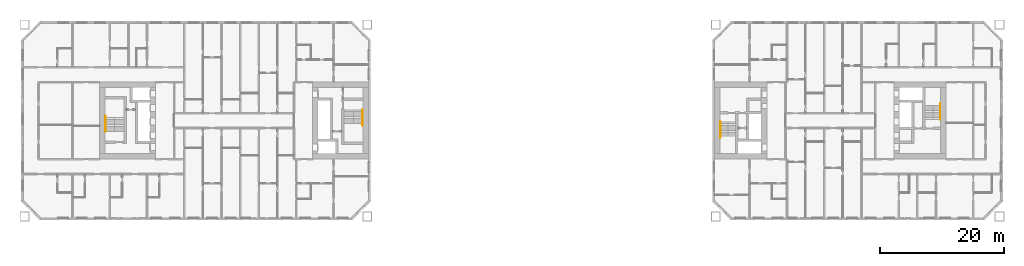
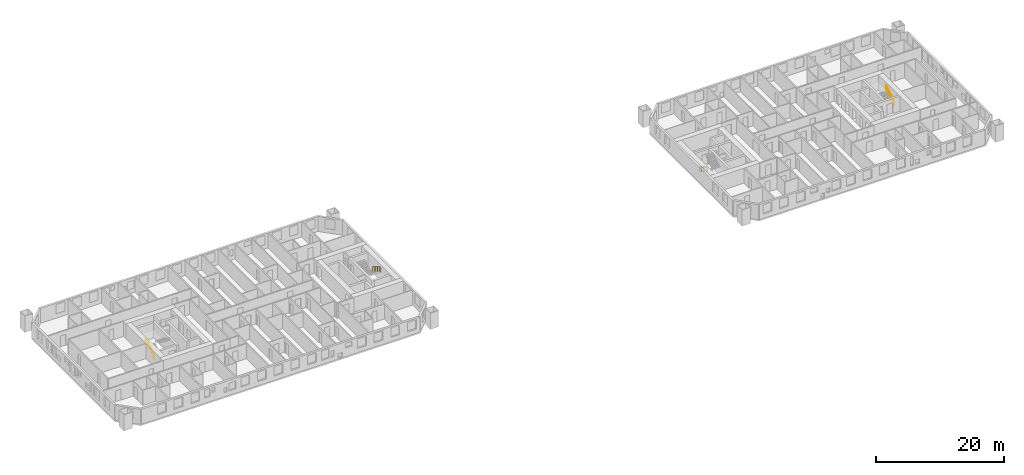
# One storey, part 17 of 17: 4 railings.
"""IFC4 building model written with IfcOpenShell, lengths in metres."""

from ifc_helpers import new_model, si_unit, direction, frame, origin, origin_2d, place, context, subcontext, project, spatial, circle, extrude, material, type_object, element, save


model = new_model("IFC4")

# Units and contexts
model_context = context("Model", 3, precision=1e-05, world=origin(), true_north=direction((0.0, 1.0)))
body_context = subcontext(model_context, "Body", "Model", "MODEL_VIEW")
ifc_project = project(units=[si_unit("LENGTHUNIT", "METRE"), si_unit("AREAUNIT", "SQUARE_METRE"), si_unit("VOLUMEUNIT", "CUBIC_METRE"), si_unit("PLANEANGLEUNIT", "RADIAN"), si_unit("MASSUNIT", "GRAM", prefix="KILO")], contexts=[model_context])

# Site, building, storey
site_placement = place(None, origin())
site = spatial("IfcSite", under=ifc_project, at=site_placement, CompositionType="ELEMENT")
building_placement = place(site_placement, origin())
building = spatial("IfcBuilding", under=site, at=building_placement, Name="Tuart Gate Housing", CompositionType="ELEMENT")
storey_placement = place(building_placement, frame((0.0, 0.0, 28.800048828125)))
storey = spatial("IfcBuildingStorey", under=building, at=storey_placement, Name="L07", CompositionType="ELEMENT", Elevation=28.800048828125)

# Railings
ifc_material = material(Name="Stainless steel", Category="steel")
railing_type = type_object("IfcRailingType", Name="Stair handrail 900", PredefinedType="HANDRAIL", material=ifc_material)
railing_1_placement = place(storey_placement, frame((74.679931640625, 71.75, 0.172119140625)))
element("IfcRailing", 1, at=railing_1_placement, inside=storey, type_object=railing_type, Name="Stair handrail SA1.1", PredefinedType="HANDRAIL", context=body_context, shape_type="SweptSolid", body=[
    extrude(circle(Radius=0.02392578125, at=origin_2d()), frame((0.0, 0.0, 0.8759765625), z_axis=(0.0, -0.851747552033, 0.523952390591), x_axis=(1.0, 0.0, 0.0)), (0.0, 0.0, 1.0), 2.6298828125),
    extrude(circle(Radius=0.02392578125, at=origin_2d()), frame((0.0, -2.239990234375, 2.25390625), z_axis=(0.0, -1.0, 0.0), x_axis=(1.0, 0.0, 0.0)), (0.0, 0.0, 1.0), 0.300048828125),
    extrude(circle(Radius=0.02099609375, at=origin_2d()), origin(), (0.0, 0.0, 1.0), 0.851806640625),
    extrude(circle(Radius=0.02099609375, at=origin_2d()), frame((0.0, -0.74658203125, 0.459228515625)), (0.0, 0.0, 1.0), 0.851806640625),
    extrude(circle(Radius=0.02099609375, at=origin_2d()), frame((0.0, -1.493408203125, 0.918701171875)), (0.0, 0.0, 1.0), 0.851806640625),
    extrude(circle(Radius=0.02099609375, at=origin_2d()), frame((0.0, -2.239990234375, 1.3779296875)), (0.0, 0.0, 1.0), 0.851806640625),
    extrude(circle(Radius=0.02099609375, at=origin_2d()), frame((0.0, -2.5400390625, 1.3779296875)), (0.0, 0.0, 1.0), 0.851806640625),
])
railing_2_placement = place(storey_placement, frame((33.320068359375, 68.25, 0.172119140625)))
element("IfcRailing", 2, at=railing_2_placement, inside=storey, type_object=railing_type, Name="Stair handrail SA2.1", PredefinedType="HANDRAIL", context=body_context, shape_type="SweptSolid", body=[
    extrude(circle(Radius=0.02392578125, at=origin_2d()), frame((0.0, 0.0, 0.8759765625), z_axis=(0.0, 0.851747552033, 0.523952390591), x_axis=(-1.0, 0.0, 0.0)), (0.0, 0.0, 1.0), 2.6298828125),
    extrude(circle(Radius=0.02392578125, at=origin_2d()), frame((0.0, 2.239990234375, 2.25390625), z_axis=(0.0, 1.0, 0.0), x_axis=(-1.0, 0.0, 0.0)), (0.0, 0.0, 1.0), 0.300048828125),
    extrude(circle(Radius=0.02099609375, at=origin_2d()), origin(), (0.0, 0.0, 1.0), 0.851806640625),
    extrude(circle(Radius=0.02099609375, at=origin_2d()), frame((0.0, 0.74658203125, 0.459228515625)), (0.0, 0.0, 1.0), 0.851806640625),
    extrude(circle(Radius=0.02099609375, at=origin_2d()), frame((0.0, 1.493408203125, 0.918701171875)), (0.0, 0.0, 1.0), 0.851806640625),
    extrude(circle(Radius=0.02099609375, at=origin_2d()), frame((0.0, 2.239990234375, 1.3779296875)), (0.0, 0.0, 1.0), 0.851806640625),
    extrude(circle(Radius=0.02099609375, at=origin_2d()), frame((0.0, 2.5400390625, 1.3779296875)), (0.0, 0.0, 1.0), 0.851806640625),
])
railing_3_placement = place(storey_placement, frame((132.320068359375, 69.800048828125, 0.172119140625)))
element("IfcRailing", 3, at=railing_3_placement, inside=storey, type_object=railing_type, Name="Stair handrail SB1.1", PredefinedType="HANDRAIL", context=body_context, shape_type="SweptSolid", body=[
    extrude(circle(Radius=0.02392578125, at=origin_2d()), frame((0.0, 0.0, 0.8759765625), z_axis=(0.0, -0.851747552033, 0.523952390591), x_axis=(1.0, 0.0, 0.0)), (0.0, 0.0, 1.0), 2.6298828125),
    extrude(circle(Radius=0.02392578125, at=origin_2d()), frame((0.0, -2.239990234375, 2.25390625), z_axis=(0.0, -1.0, 0.0), x_axis=(1.0, 0.0, 0.0)), (0.0, 0.0, 1.0), 0.300048828125),
    extrude(circle(Radius=0.02099609375, at=origin_2d()), origin(), (0.0, 0.0, 1.0), 0.851806640625),
    extrude(circle(Radius=0.02099609375, at=origin_2d()), frame((0.0, -0.74658203125, 0.459228515625)), (0.0, 0.0, 1.0), 0.851806640625),
    extrude(circle(Radius=0.02099609375, at=origin_2d()), frame((0.0, -1.493408203125, 0.918701171875)), (0.0, 0.0, 1.0), 0.851806640625),
    extrude(circle(Radius=0.02099609375, at=origin_2d()), frame((0.0, -2.239990234375, 1.3779296875)), (0.0, 0.0, 1.0), 0.851806640625),
    extrude(circle(Radius=0.02099609375, at=origin_2d()), frame((0.0, -2.5400390625, 1.3779296875)), (0.0, 0.0, 1.0), 0.851806640625),
])
railing_4_placement = place(storey_placement, frame((167.679931640625, 70.199951171875, 0.172119140625)))
element("IfcRailing", 4, at=railing_4_placement, inside=storey, type_object=railing_type, Name="Stair handrail SB2.1", PredefinedType="HANDRAIL", context=body_context, shape_type="SweptSolid", body=[
    extrude(circle(Radius=0.02392578125, at=origin_2d()), frame((0.0, 0.0, 0.8759765625), z_axis=(0.0, 0.851747552033, 0.523952390591), x_axis=(-1.0, 0.0, 0.0)), (0.0, 0.0, 1.0), 2.6298828125),
    extrude(circle(Radius=0.02392578125, at=origin_2d()), frame((0.0, 2.239990234375, 2.25390625), z_axis=(0.0, 1.0, 0.0), x_axis=(-1.0, 0.0, 0.0)), (0.0, 0.0, 1.0), 0.300048828125),
    extrude(circle(Radius=0.02099609375, at=origin_2d()), origin(), (0.0, 0.0, 1.0), 0.851806640625),
    extrude(circle(Radius=0.02099609375, at=origin_2d()), frame((0.0, 0.74658203125, 0.459228515625)), (0.0, 0.0, 1.0), 0.851806640625),
    extrude(circle(Radius=0.02099609375, at=origin_2d()), frame((0.0, 1.493408203125, 0.918701171875)), (0.0, 0.0, 1.0), 0.851806640625),
    extrude(circle(Radius=0.02099609375, at=origin_2d()), frame((0.0, 2.239990234375, 1.3779296875)), (0.0, 0.0, 1.0), 0.851806640625),
    extrude(circle(Radius=0.02099609375, at=origin_2d()), frame((0.0, 2.5400390625, 1.3779296875)), (0.0, 0.0, 1.0), 0.851806640625),
])

save(model, "model.ifc")
